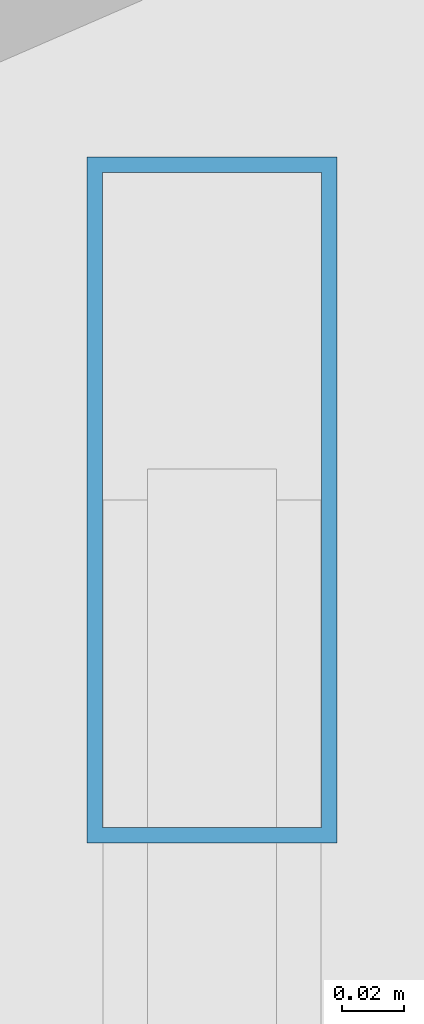
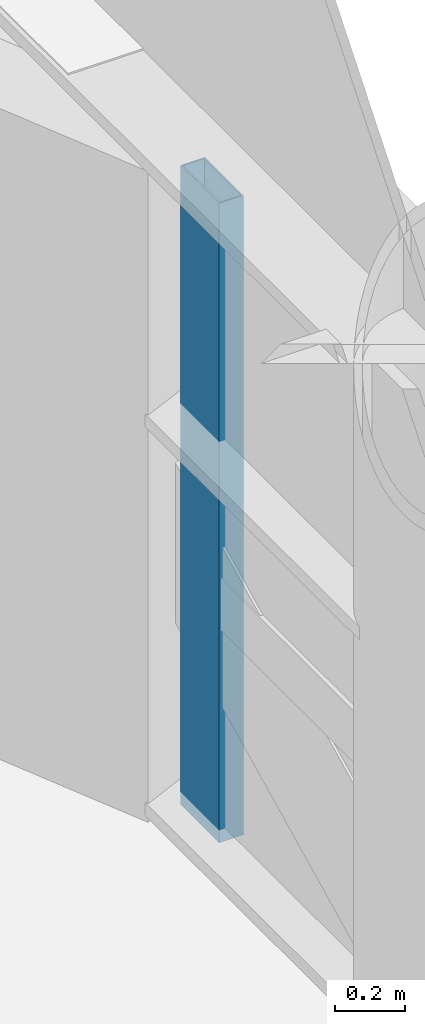
# One storey, part 18 of 24: 1 member, 1 element without a shape of its own.
"""IFC4 building model written with IfcOpenShell, lengths in metres."""

import ifcopenshell
import ifcopenshell.guid

model = None  # the IFC model being written
_history = None  # IfcOwnerHistory: only IFC2X3 demands one
_inside = {}  # id of a spatial element -> (the spatial element, [elements in it])
_under = {}  # id of a project, library or spatial element -> (it, [spatial elements below it])
_declared = {}  # id of a project -> (the project, [libraries it declares])
_typed = {}  # id of a type object -> (the type object, [elements of that type])
_made_of = {}  # id of a material, layer set ... -> (it, [elements and type objects made of it])


def new_model(schema):
    """Start an empty IFC model of exactly this schema.

    Asked for "IFC4X3", IfcOpenShell would pick the latest addendum, in which some entities
    have other attributes; the version numbers below select the first issue.
    IFC2X3 requires an IfcOwnerHistory on every rooted entity: one is made here for all.
    """
    global model, _history
    if schema == "IFC4X3":
        model = ifcopenshell.file(schema_version=(4, 3, 0, 0))
    else:
        model = ifcopenshell.file(schema=schema)
    _inside.clear()
    _under.clear()
    _declared.clear()
    _typed.clear()
    _made_of.clear()
    _history = None
    if model.schema == "IFC2X3":
        org = make("IfcOrganization", Name="unknown")
        user = make(
            "IfcPersonAndOrganization",
            ThePerson=make("IfcPerson", FamilyName="unknown"),
            TheOrganization=org,
        )
        app = make(
            "IfcApplication",
            ApplicationDeveloper=org,
            Version="unknown",
            ApplicationFullName="unknown",
            ApplicationIdentifier="unknown",
        )
        _history = make(
            "IfcOwnerHistory",
            OwningUser=user,
            OwningApplication=app,
            ChangeAction="ADDED",
            CreationDate=0,
        )
    return model


def make(cls, **values):
    """One entity of the class cls with the attributes given. An attribute that is None is left unset."""
    return model.create_entity(
        cls, **{name: value for name, value in values.items() if value is not None}
    )


def rooted(cls, **values):
    """An entity with a GlobalId (a new one), such as an element, a storey or a relation."""
    return make(cls, GlobalId=ifcopenshell.guid.new(), OwnerHistory=_history, **values)


def si_unit(unit_type, name, prefix=None):
    """IfcSIUnit, for example si_unit("LENGTHUNIT", "METRE", prefix="MILLI")."""
    return make("IfcSIUnit", UnitType=unit_type, Prefix=prefix, Name=name)


def assignment(units):
    """IfcUnitAssignment: the units of a project."""
    return None if units is None else make("IfcUnitAssignment", Units=units)


def point(xyz):
    """IfcCartesianPoint."""
    return None if xyz is None else make("IfcCartesianPoint", Coordinates=xyz)


def direction(xyz):
    """IfcDirection."""
    return None if xyz is None else make("IfcDirection", DirectionRatios=xyz)


def frame(location, z_axis=None, x_axis=None):
    """IfcAxis2Placement3D, a coordinate frame: its origin and axes. An axis left out is left unset."""
    return make(
        "IfcAxis2Placement3D",
        Location=point(location),
        Axis=direction(z_axis),
        RefDirection=direction(x_axis),
    )


def frame_2d(location, x_axis=None):
    """IfcAxis2Placement2D, a coordinate frame in the plane: its origin and x axis."""
    return make(
        "IfcAxis2Placement2D", Location=point(location), RefDirection=direction(x_axis)
    )


def origin():
    """The frame at (0, 0, 0) with its axes left unset."""
    return frame((0.0, 0.0, 0.0))


def origin_2d():
    """The frame at (0, 0) in the plane with its x axis left unset."""
    return frame_2d((0.0, 0.0))


def place(relative_to, where):
    """IfcLocalPlacement: puts the frame where relative to a parent placement (None: the world)."""
    return make(
        "IfcLocalPlacement", PlacementRelTo=relative_to, RelativePlacement=where
    )


def context(
    kind, dimensions, precision=None, world=None, true_north=None, identifier=None
):
    """IfcGeometricRepresentationContext, for example the 3D "Model" context."""
    return make(
        "IfcGeometricRepresentationContext",
        ContextIdentifier=identifier,
        ContextType=kind,
        CoordinateSpaceDimension=dimensions,
        Precision=precision,
        WorldCoordinateSystem=world,
        TrueNorth=true_north,
    )


def subcontext(parent, identifier, kind, view, scale=None):
    """IfcGeometricRepresentationSubContext, for example "Body" below "Model"."""
    return make(
        "IfcGeometricRepresentationSubContext",
        ContextIdentifier=identifier,
        ContextType=kind,
        ParentContext=parent,
        TargetScale=scale,
        TargetView=view,
    )


def project(units=None, contexts=None):
    """IfcProject with its units and contexts."""
    return rooted(
        "IfcProject",
        Name="project",
        RepresentationContexts=contexts,
        UnitsInContext=assignment(units),
    )


def spatial(cls, under=None, at=None, **own):
    """A site, building, storey or space (cls), placed at a placement, below another one or the project."""
    s = rooted(cls, ObjectPlacement=at, **own)
    if under is not None:
        _under.setdefault(under.id(), (under, []))[1].append(s)
    return s


def profile(cls, at=None, kind="AREA", **sizes):
    """A parametric profile (cls). Its sizes go by their IFC names, for example OverallWidth=200.0."""
    return make(cls, ProfileType=kind, Position=at, **sizes)


def hollow_rectangle(**sizes):
    """IfcRectangleHollowProfileDef."""
    return profile("IfcRectangleHollowProfileDef", **sizes)


def extrude(swept, where, along, depth):
    """IfcExtrudedAreaSolid: the profile swept, set in the frame where, extruded along a direction by depth."""
    return make(
        "IfcExtrudedAreaSolid",
        SweptArea=swept,
        Position=where,
        ExtrudedDirection=direction(along),
        Depth=depth,
    )


def shape(context_of_items, identifier, shape_type, items):
    """IfcShapeRepresentation: the items that make up one representation, for example the "Body"."""
    return make(
        "IfcShapeRepresentation",
        ContextOfItems=context_of_items,
        RepresentationIdentifier=identifier,
        RepresentationType=shape_type,
        Items=items,
    )


def material(Name=None, Category=None):
    """IfcMaterial."""
    return make("IfcMaterial", Name=Name, Category=Category)


def layer(
    of_material, thickness, ventilated=None, Name=None, Category=None, Priority=None
):
    """IfcMaterialLayer: one layer of a wall or slab, of a material (None: an air gap)."""
    return make(
        "IfcMaterialLayer",
        Material=of_material,
        LayerThickness=thickness,
        IsVentilated=ventilated,
        Name=Name,
        Category=Category,
        Priority=Priority,
    )


def layer_set(layers, Name=None):
    """IfcMaterialLayerSet."""
    return make("IfcMaterialLayerSet", MaterialLayers=layers, LayerSetName=Name)


def material_profile(
    of_material, cross_section, Name=None, Category=None, Priority=None
):
    """IfcMaterialProfile: a cross section and its material."""
    return make(
        "IfcMaterialProfile",
        Name=Name,
        Material=of_material,
        Profile=cross_section,
        Priority=Priority,
        Category=Category,
    )


def profile_set(profiles, Name=None, composite=None):
    """IfcMaterialProfileSet."""
    return make(
        "IfcMaterialProfileSet",
        Name=Name,
        MaterialProfiles=profiles,
        CompositeProfile=composite,
    )


def made_of(thing, what):
    """Note that an element or type object is made of a material, layer set ...; save() writes the relation."""
    if what is not None:
        _made_of.setdefault(what.id(), (what, []))[1].append(thing)
    return thing


def type_object(cls, material=None, **own):
    """A type object (cls), such as IfcWallType, which elements share."""
    return made_of(rooted(cls, **own), material)


def element(
    cls,
    number,
    at=None,
    inside=None,
    cuts=None,
    type_object=None,
    material=None,
    context=None,
    identifier="Body",
    shape_type=None,
    held_by="IfcProductDefinitionShape",
    body=None,
    shapes=None,
    **own,
):
    """One element of the class cls, such as IfcWall. Its Tag is "e" and its number.

    at: its placement. inside: the storey or other place that contains it. cuts: it is an
    opening in that element (IfcRelVoidsElement). A single representation is given by context,
    identifier, shape_type and body (its items); several are given by shapes. held_by: the class
    of the entity that holds the representations. save() writes the other relations.
    """
    e = rooted(cls, Tag="e%d" % number, ObjectPlacement=at, **own)
    if body is not None:
        shapes = [shape(context, identifier, shape_type, body)]
    if shapes is not None:
        e.Representation = make(held_by, Representations=shapes)
    if inside is not None:
        _inside.setdefault(inside.id(), (inside, []))[1].append(e)
    if cuts is not None:
        rooted(
            "IfcRelVoidsElement", RelatingBuildingElement=cuts, RelatedOpeningElement=e
        )
    if type_object is not None:
        _typed.setdefault(type_object.id(), (type_object, []))[1].append(e)
    return made_of(e, material)


def aggregate(whole, parts):
    """IfcRelAggregates: a whole, such as a stair, and the parts it consists of."""
    return rooted("IfcRelAggregates", RelatingObject=whole, RelatedObjects=parts)


def save(model, path):
    """Write the relations noted so far, then the file.

    IfcRelAggregates (storeys below a building ...), IfcRelContainedInSpatialStructure (elements
    in a storey), IfcRelDefinesByType, IfcRelAssociatesMaterial and IfcRelDeclares: one each for
    every whole, place, type object, material and project.
    """
    for whole, parts in _under.values():
        aggregate(whole, parts)
    for where, things in _inside.values():
        rooted(
            "IfcRelContainedInSpatialStructure",
            RelatedElements=things,
            RelatingStructure=where,
        )
    for kind, things in _typed.values():
        rooted("IfcRelDefinesByType", RelatedObjects=things, RelatingType=kind)
    for what, things in _made_of.values():
        rooted("IfcRelAssociatesMaterial", RelatedObjects=things, RelatingMaterial=what)
    for by, libraries in _declared.values():
        rooted("IfcRelDeclares", RelatingContext=by, RelatedDefinitions=libraries)
    model.write(path)


model = new_model("IFC4")

# Units and contexts
model_context = context("Model", 3, precision=1e-05, world=origin(), true_north=direction((0.0, 1.0)))
body_context = subcontext(model_context, "Body", "Model", "MODEL_VIEW")
ifc_project = project(units=[si_unit("LENGTHUNIT", "METRE"), si_unit("AREAUNIT", "SQUARE_METRE"), si_unit("VOLUMEUNIT", "CUBIC_METRE"), si_unit("PLANEANGLEUNIT", "RADIAN"), si_unit("MASSUNIT", "GRAM", prefix="KILO")], contexts=[model_context])

# Site, building, storey
site_placement = place(None, origin())
site = spatial("IfcSite", under=ifc_project, at=site_placement, CompositionType="ELEMENT")
building_placement = place(site_placement, origin())
building = spatial("IfcBuilding", under=site, at=building_placement, Name="Kallvorn Hotel Tower", CompositionType="ELEMENT")
storey_placement = place(building_placement, frame((0.0, 0.0, 218.449951171875)))
storey = spatial("IfcBuildingStorey", under=building, at=storey_placement, Name="L54", CompositionType="ELEMENT", Elevation=218.449951171875)

# Curtain wall, member
ifc_material_1 = material(Name="Thermally broken black-anodised aluminium AA 6063-T6", Category="aluminium")
ifc_layer = layer(ifc_material_1, 0.22998046875)
ifc_layer_set = layer_set([ifc_layer], Name="CW_SYS_5_HOTEL_HIGH")
curtain_wall_type = type_object("IfcCurtainWallType", Name="CW_SYS_5_HOTEL_HIGH", PredefinedType="USERDEFINED", material=ifc_layer_set)
curtain_wall_placement = place(storey_placement, origin())
curtain_wall = element("IfcCurtainWall", 1, at=curtain_wall_placement, inside=storey, type_object=curtain_wall_type, Name="L54 Dark-Glass Curtain Wall CW-L54-EN", ObjectType="UNITISED CURTAIN WALL", PredefinedType="USERDEFINED")
ifc_material_2 = material(Name="Thermally broken black-anodised aluminium AA 6063-T6", Category="aluminium")
ifc_material_profile = material_profile(ifc_material_2, hollow_rectangle(XDim=0.080078125, YDim=0.219970703125, WallThickness=0.0048828125, at=origin_2d()), Name="MUL 220x80")
ifc_profile_set = profile_set([ifc_material_profile], Name="Thermally broken black-anodised aluminium AA 6063-T6")
member_type = type_object("IfcMemberType", Name="CW_MULLION_220x80", PredefinedType="MULLION", material=ifc_profile_set)
member_placement = place(storey_placement, frame((33.47998046875, 15.56005859375, 0.02001953125), z_axis=(0.0, 0.0, 1.0), x_axis=(1.0, 0.0, 0.0)))
member = element("IfcMember", 2, at=member_placement, type_object=member_type, Name="CW-L54-EN Mullion 01", PredefinedType="MULLION", context=body_context, shape_type="SweptSolid", body=[
    extrude(hollow_rectangle(XDim=0.080078125, YDim=0.219970703125, WallThickness=0.0048828125, at=origin_2d()), origin(), (0.0, 0.0, 1.0), 2.22998046875),
])
aggregate(curtain_wall, [member])

save(model, "model.ifc")
